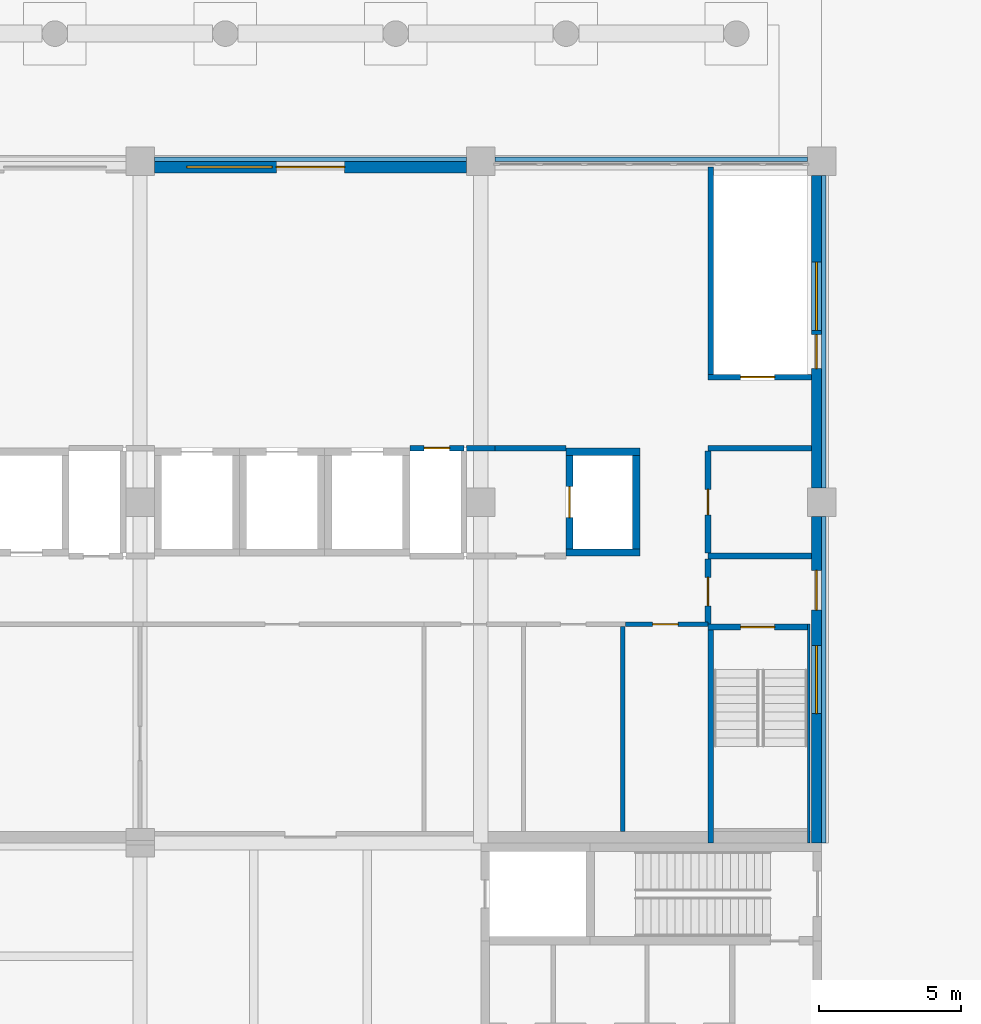
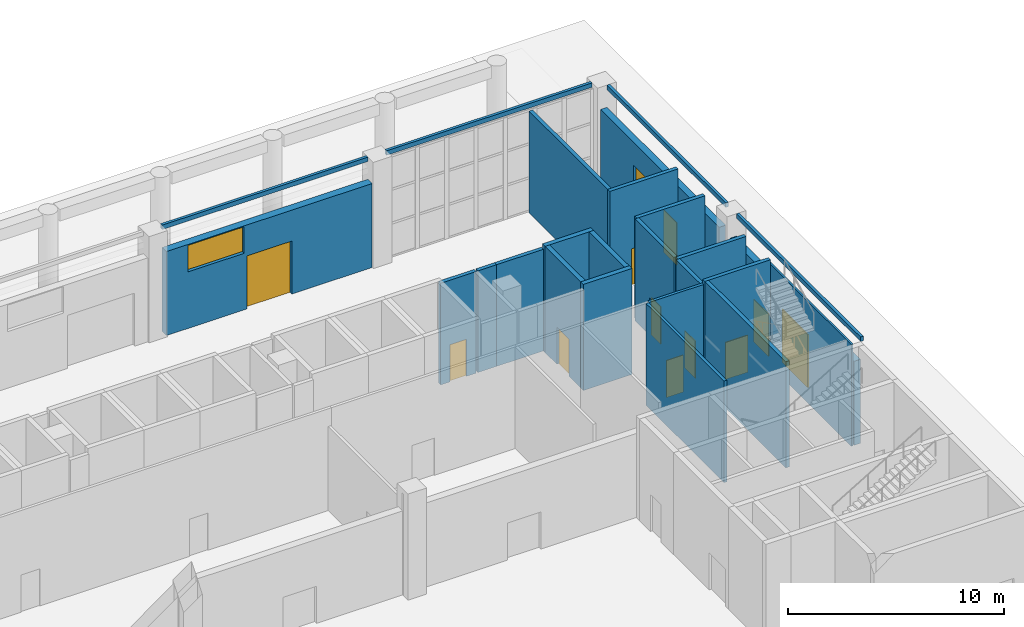
# One storey, part 49 of 59: 25 walls, 10 doors, 3 windows, 13 openings.
"""IFC4 building model written with IfcOpenShell, lengths in metres."""

from ifc_helpers import new_model, si_unit, direction, frame, frame_2d, origin, place, context, subcontext, project, spatial, rectangle, extrude, material, layer, layer_set, type_object, element, fill, save


model = new_model("IFC4")

# Units and contexts
model_context = context("Model", 3, precision=1e-05, world=origin(), true_north=direction((0.0, 1.0)))
body_context = subcontext(model_context, "Body", "Model", "MODEL_VIEW")
ifc_project = project(units=[si_unit("LENGTHUNIT", "METRE"), si_unit("AREAUNIT", "SQUARE_METRE"), si_unit("VOLUMEUNIT", "CUBIC_METRE"), si_unit("PLANEANGLEUNIT", "RADIAN"), si_unit("MASSUNIT", "GRAM", prefix="KILO")], contexts=[model_context])

# Site, building, storey
site_placement = place(None, origin())
site = spatial("IfcSite", under=ifc_project, at=site_placement, CompositionType="ELEMENT")
building_placement = place(site_placement, origin())
building = spatial("IfcBuilding", under=site, at=building_placement, Name="Lilac Gate Convention Centre", CompositionType="ELEMENT")
storey_placement = place(building_placement, origin())
storey = spatial("IfcBuildingStorey", under=building, at=storey_placement, Name="L00", CompositionType="ELEMENT", Elevation=0.0)

# Wall
ifc_material_1 = material(Name="Concrete C60", Category="concrete")
ifc_layer_1 = layer(ifc_material_1, 0.10009765625)
ifc_layer_set_1 = layer_set([ifc_layer_1], Name="Concrete C60")
wall_type_1 = type_object("IfcWallType", Name="Core wall 100 C60", PredefinedType="SHEAR", material=ifc_layer_set_1)
wall_1_placement = place(storey_placement, frame((89.550048828125, 229.699951171875, 0.0), z_axis=(0.0, 0.0, 1.0), x_axis=(0.0, -1.0, 0.0)))
element("IfcWall", 1, at=wall_1_placement, inside=storey, type_object=wall_type_1, Name="CRW8 core wall TS-EX L00 1", PredefinedType="SHEAR", context=body_context, shape_type="SweptSolid", body=[
    extrude(rectangle(XDim=7.699951171875, YDim=0.10009765625, at=frame_2d((3.85009765625, 0.0))), origin(), (0.0, 0.0, 1.0), 5.75),
])

# Wall, opening, door
ifc_layer_2 = layer(ifc_material_1, 0.199951171875)
ifc_layer_set_2 = layer_set([ifc_layer_2], Name="Concrete C60")
wall_type_2 = type_object("IfcWallType", Name="Core wall 200 C60", PredefinedType="SHEAR", material=ifc_layer_set_2)
wall_2_placement = place(storey_placement, frame((86.0, 238.39990234375, 0.0), z_axis=(0.0, 0.0, 1.0), x_axis=(1.0, 0.0, 0.0)))
wall_2 = element("IfcWall", 2, at=wall_2_placement, inside=storey, type_object=wall_type_2, Name="CRW2 core wall TB-N L00 1", PredefinedType="SHEAR", context=body_context, shape_type="SweptSolid", body=[
    extrude(rectangle(XDim=3.64990234375, YDim=0.199951171875, at=frame_2d((1.824951171875, 0.0))), origin(), (0.0, 0.0, 1.0), 5.75),
])
opening_1_placement = place(wall_2_placement, frame((1.14990234375, 0.0, 0.0)))
opening_1 = element("IfcOpeningElement", 3, at=opening_1_placement, cuts=wall_2, Name="Opening T00-027", PredefinedType="OPENING", context=body_context, shape_type="SweptSolid", body=[
    extrude(rectangle(XDim=1.199951171875, YDim=2.10009765625, at=frame_2d((0.60009765625, 1.050048828125))), frame((0.0, 0.10986328125, 0.0), z_axis=(0.0, -1.0, 0.0), x_axis=(1.0, 0.0, 0.0)), (0.0, 0.0, 1.0), 0.219970703125),
])
ifc_material_2 = material(Name="Steel Q235B", Category="steel")
door_type_1 = type_object("IfcDoorType", Name="Stair door 1200", OperationType="SINGLE_SWING_LEFT", PredefinedType="DOOR", material=ifc_material_2)
door_1_placement = place(opening_1_placement, origin())
door_1 = element("IfcDoor", 4, at=door_1_placement, inside=storey, type_object=door_type_1, Name="Stair door BN L00", OperationType="SINGLE_SWING_LEFT", OverallHeight=2.10009765625, OverallWidth=1.199951171875, PredefinedType="DOOR", context=body_context, shape_type="SweptSolid", body=[
    extrude(rectangle(XDim=1.199951171875, YDim=2.10009765625, at=frame_2d((0.60009765625, 1.050048828125))), frame((0.0, 0.02490234375, 0.0), z_axis=(0.0, -1.0, 0.0), x_axis=(1.0, 0.0, 0.0)), (0.0, 0.0, 1.0), 0.050048828125),
])
fill(opening_1, door_1)

# Wall
wall_3_placement = place(storey_placement, frame((86.10009765625, 238.5, 0.0), z_axis=(0.0, 0.0, 1.0), x_axis=(0.0, 1.0, 0.0)))
element("IfcWall", 5, at=wall_3_placement, inside=storey, type_object=wall_type_2, Name="CRW2 core wall TB-N L00 2", PredefinedType="SHEAR", context=body_context, shape_type="SweptSolid", body=[
    extrude(rectangle(XDim=7.2998046875, YDim=0.199951171875, at=frame_2d((3.64990234375, 0.0))), origin(), (0.0, 0.0, 1.0), 5.75),
])

# Wall, opening, door
wall_4_placement = place(storey_placement, frame((89.5, 229.60009765625, 0.0), z_axis=(0.0, 0.0, 1.0), x_axis=(-1.0, 0.0, 0.0)))
wall_4 = element("IfcWall", 6, at=wall_4_placement, inside=storey, type_object=wall_type_2, Name="CRW2 core wall TS-E L00 1", PredefinedType="SHEAR", context=body_context, shape_type="SweptSolid", body=[
    extrude(rectangle(XDim=3.5, YDim=0.199951171875, at=frame_2d((1.75, 0.0))), origin(), (0.0, 0.0, 1.0), 6.0),
])
opening_2_placement = place(wall_4_placement, frame((1.14990234375, 0.0, 0.0)))
opening_2 = element("IfcOpeningElement", 7, at=opening_2_placement, cuts=wall_4, Name="Opening T00-026", PredefinedType="OPENING", context=body_context, shape_type="SweptSolid", body=[
    extrude(rectangle(XDim=1.199951171875, YDim=2.10009765625, at=frame_2d((0.60009765625, 1.050048828125))), frame((0.0, 0.10986328125, 0.0), z_axis=(0.0, -1.0, 0.0), x_axis=(1.0, 0.0, 0.0)), (0.0, 0.0, 1.0), 0.219970703125),
])
door_2_placement = place(opening_2_placement, origin())
door_2 = element("IfcDoor", 8, at=door_2_placement, inside=storey, type_object=door_type_1, Name="Stair door SE L00", OperationType="SINGLE_SWING_RIGHT", OverallHeight=2.10009765625, OverallWidth=1.199951171875, PredefinedType="DOOR", context=body_context, shape_type="SweptSolid", body=[
    extrude(rectangle(XDim=1.199951171875, YDim=2.10009765625, at=frame_2d((0.60009765625, 1.050048828125))), frame((0.0, 0.02490234375, 0.0), z_axis=(0.0, -1.0, 0.0), x_axis=(1.0, 0.0, 0.0)), (0.0, 0.0, 1.0), 0.050048828125),
])
fill(opening_2, door_2)

# Walls
wall_5_placement = place(storey_placement, frame((86.10009765625, 222.0, 0.0), z_axis=(0.0, 0.0, 1.0), x_axis=(0.0, 1.0, 0.0)))
element("IfcWall", 9, at=wall_5_placement, inside=storey, type_object=wall_type_2, Name="CRW2 core wall TS-E L00 2", PredefinedType="SHEAR", context=body_context, shape_type="SweptSolid", body=[
    extrude(rectangle(XDim=7.5, YDim=0.199951171875, at=frame_2d((3.75, 0.0))), origin(), (0.0, 0.0, 1.0), 6.0),
])
ifc_layer_3 = layer(ifc_material_1, 0.25)
ifc_layer_set_3 = layer_set([ifc_layer_3], Name="Concrete C60")
wall_type_3 = type_object("IfcWallType", Name="Core wall 250 C60", PredefinedType="SHEAR", material=ifc_layer_set_3)
for number, where, z_axis, x_axis, name in (
    (10, (81.0, 232.22509765625, 0.0), (0.0, 0.0, 1.0), (1.0, 0.0, 0.0), "CRW3 core wall TC L00 33"),
    (11, (81.0, 235.77490234375, 0.0), (0.0, 0.0, 1.0), (1.0, 0.0, 0.0), "CRW3 core wall TC L00 34"),
):
    element("IfcWall", number, at=place(storey_placement, frame(where, z_axis=z_axis, x_axis=x_axis)), inside=storey, type_object=wall_type_3, Name=name, PredefinedType="SHEAR", context=body_context, shape_type="SweptSolid", body=[
        extrude(rectangle(XDim=2.60009765625, YDim=0.25, at=frame_2d((1.300048828125, 0.0))), origin(), (0.0, 0.0, 1.0), 6.0),
    ])

# Wall, opening, door
wall_6_placement = place(storey_placement, frame((81.125, 232.35009765625, 0.0), z_axis=(0.0, 0.0, 1.0), x_axis=(0.0, 1.0, 0.0)))
wall_6 = element("IfcWall", 12, at=wall_6_placement, inside=storey, type_object=wall_type_3, Name="CRW3 core wall TC L00 35", PredefinedType="SHEAR", context=body_context, shape_type="SweptSolid", body=[
    extrude(rectangle(XDim=3.2998046875, YDim=0.25, at=frame_2d((1.64990234375, 0.0))), origin(), (0.0, 0.0, 1.0), 6.0),
])
opening_3_placement = place(wall_6_placement, frame((1.10009765625, 0.0, 0.0)))
opening_3 = element("IfcOpeningElement", 13, at=opening_3_placement, cuts=wall_6, Name="Opening T00-024", PredefinedType="OPENING", context=body_context, shape_type="SweptSolid", body=[
    extrude(rectangle(XDim=1.10009765625, YDim=2.10009765625, at=frame_2d((0.550048828125, 1.050048828125))), frame((0.0, 0.135009765625, 0.0), z_axis=(0.0, -1.0, 0.0), x_axis=(1.0, 0.0, 0.0)), (0.0, 0.0, 1.0), 0.27001953125),
])
ifc_material_3 = material(Name="Stainless steel 304", Category="steel")
door_type_2 = type_object("IfcDoorType", Name="Lift landing door 1100", OperationType="SLIDING_TO_LEFT", PredefinedType="DOOR", material=ifc_material_3)
door_3_placement = place(opening_3_placement, origin())
door_3 = element("IfcDoor", 14, at=door_3_placement, inside=storey, type_object=door_type_2, Name="Lift landing door TF1 L00", OperationType="SLIDING_TO_LEFT", OverallHeight=2.10009765625, OverallWidth=1.10009765625, PredefinedType="DOOR", context=body_context, shape_type="SweptSolid", body=[
    extrude(rectangle(XDim=1.10009765625, YDim=2.10009765625, at=frame_2d((0.550048828125, 1.050048828125))), frame((0.0, 0.02490234375, 0.0), z_axis=(0.0, -1.0, 0.0), x_axis=(1.0, 0.0, 0.0)), (0.0, 0.0, 1.0), 0.050048828125),
])
fill(opening_3, door_3)

# Wall
wall_7_placement = place(storey_placement, frame((83.47509765625, 232.35009765625, 0.0), z_axis=(0.0, 0.0, 1.0), x_axis=(0.0, 1.0, 0.0)))
element("IfcWall", 15, at=wall_7_placement, inside=storey, type_object=wall_type_3, Name="CRW3 core wall TC L00 36", PredefinedType="SHEAR", context=body_context, shape_type="SweptSolid", body=[
    extrude(rectangle(XDim=3.2998046875, YDim=0.25, at=frame_2d((1.64990234375, 0.0))), origin(), (0.0, 0.0, 1.0), 6.0),
])

# Wall, opening, door
ifc_material_4 = material(Name="Gypsum board on steel stud", Category="steel")
ifc_layer_4 = layer(ifc_material_4, 0.14990234375)
ifc_layer_set_4 = layer_set([ifc_layer_4], Name="Gypsum board on steel stud")
wall_type_4 = type_object("IfcWallType", Name="Corridor wall 150", PredefinedType="PARTITIONING", material=ifc_layer_set_4)
wall_8_placement = place(storey_placement, frame((86.0, 229.699951171875, 0.0), z_axis=(0.0, 0.0, 1.0), x_axis=(-1.0, 0.0, 0.0)))
wall_8 = element("IfcWall", 16, at=wall_8_placement, inside=storey, type_object=wall_type_4, Name="Corridor wall 150 front WC-A", PredefinedType="PARTITIONING", context=body_context, shape_type="SweptSolid", body=[
    extrude(rectangle(XDim=2.89990234375, YDim=0.14990234375, at=frame_2d((1.449951171875, 0.0))), origin(), (0.0, 0.0, 1.0), 5.75),
])
opening_4_placement = place(wall_8_placement, frame((1.050048828125, 0.0, 0.0)))
opening_4 = element("IfcOpeningElement", 17, at=opening_4_placement, cuts=wall_8, Name="Opening T00-014", PredefinedType="OPENING", context=body_context, shape_type="SweptSolid", body=[
    extrude(rectangle(XDim=0.89990234375, YDim=2.10009765625, at=frame_2d((0.449951171875, 1.050048828125))), frame((0.0, 0.0849609375, 0.0), z_axis=(0.0, -1.0, 0.0), x_axis=(1.0, 0.0, 0.0)), (0.0, 0.0, 1.0), 0.169921875),
])
ifc_material_5 = material(Name="Timber", Category="wood")
door_type_3 = type_object("IfcDoorType", Name="WC door 900", OperationType="SINGLE_SWING_LEFT", PredefinedType="DOOR", material=ifc_material_5)
door_4_placement = place(opening_4_placement, origin())
door_4 = element("IfcDoor", 18, at=door_4_placement, inside=storey, type_object=door_type_3, Name="Accessible WC door", OperationType="SINGLE_SWING_RIGHT", OverallHeight=2.10009765625, OverallWidth=0.89990234375, PredefinedType="DOOR", context=body_context, shape_type="SweptSolid", body=[
    extrude(rectangle(XDim=0.89990234375, YDim=2.10009765625, at=frame_2d((0.449951171875, 1.050048828125))), frame((0.0, 0.02490234375, 0.0), z_axis=(0.0, -1.0, 0.0), x_axis=(1.0, 0.0, 0.0)), (0.0, 0.0, 1.0), 0.050048828125),
])
fill(opening_4, door_4)

# Wall, openings, window, door
ifc_material_6 = material(Name="Aluminium framed glazing", Category="aluminium")
ifc_layer_5 = layer(ifc_material_6, 0.39990234375)
ifc_layer_set_5 = layer_set([ifc_layer_5], Name="Aluminium framed glazing")
wall_type_5 = type_object("IfcWallType", Name="Glazed screen frame 400", PredefinedType="STANDARD", material=ifc_layer_set_5)
wall_9_placement = place(storey_placement, frame((77.5, 245.800048828125, 0.0), z_axis=(0.0, 0.0, 1.0), x_axis=(-1.0, 0.0, 0.0)))
wall_9 = element("IfcWall", 19, at=wall_9_placement, inside=storey, type_object=wall_type_5, Name="External wall N L00 2", PredefinedType="STANDARD", context=body_context, shape_type="SweptSolid", body=[
    extrude(rectangle(XDim=11.0, YDim=0.39990234375, at=frame_2d((5.5, 0.0))), origin(), (0.0, 0.0, 1.0), 4.75),
])
opening_5_placement = place(wall_9_placement, frame((4.300048828125, 0.0, 0.0)))
opening_5 = element("IfcOpeningElement", 20, at=opening_5_placement, cuts=wall_9, Name="Opening ED-003", PredefinedType="OPENING", context=body_context, shape_type="SweptSolid", body=[
    extrude(rectangle(XDim=2.39990234375, YDim=3.0, at=frame_2d((1.199951171875, 1.5))), frame((0.0, 0.2099609375, 0.0), z_axis=(0.0, -1.0, 0.0), x_axis=(1.0, 0.0, 0.0)), (0.0, 0.0, 1.0), 0.419921875),
])
opening_6_placement = place(wall_9_placement, frame((6.85009765625, 0.0, 3.199951171875)))
opening_6 = element("IfcOpeningElement", 21, at=opening_6_placement, cuts=wall_9, Name="Opening W8", PredefinedType="OPENING", context=body_context, shape_type="SweptSolid", body=[
    extrude(rectangle(XDim=3.0, YDim=1.5, at=frame_2d((1.5, 0.75))), frame((0.0, 0.2099609375, 0.0), z_axis=(0.0, -1.0, 0.0), x_axis=(1.0, 0.0, 0.0)), (0.0, 0.0, 1.0), 0.419921875),
])
ifc_material_7 = material(Name="Aluminium framed double glazing", Category="aluminium")
window_type_1 = type_object("IfcWindowType", Name="Entrance fanlight 3000 x 1500", PartitioningType="TRIPLE_PANEL_VERTICAL", PredefinedType="WINDOW", material=ifc_material_7)
window_1_placement = place(opening_6_placement, origin())
window_1 = element("IfcWindow", 22, at=window_1_placement, inside=storey, type_object=window_type_1, Name="Fanlight entrance L00", OverallHeight=1.5, OverallWidth=3.0, PartitioningType="SINGLE_PANEL", PredefinedType="WINDOW", context=body_context, shape_type="SweptSolid", body=[
    extrude(rectangle(XDim=3.0, YDim=1.5, at=frame_2d((1.5, 0.75))), frame((0.0, 0.030029296875, 0.0), z_axis=(0.0, -1.0, 0.0), x_axis=(1.0, 0.0, 0.0)), (0.0, 0.0, 1.0), 0.06005859375),
])
fill(opening_6, window_1)
ifc_material_8 = material(Name="Aluminium framed glazed door", Category="aluminium")
door_type_4 = type_object("IfcDoorType", Name="Main entrance double door 2400 x 3000", OperationType="DOUBLE_DOOR_SINGLE_SWING", PredefinedType="DOOR", material=ifc_material_8)
door_5_placement = place(opening_5_placement, frame((2.39990234375, 0.0, 0.0), z_axis=(0.0, 0.0, 1.0), x_axis=(-1.0, 0.0, 0.0)))
door_5 = element("IfcDoor", 23, at=door_5_placement, inside=storey, type_object=door_type_4, Name="Main entrance E1", OperationType="DOUBLE_DOOR_SINGLE_SWING", OverallHeight=3.0, OverallWidth=2.39990234375, PredefinedType="DOOR", context=body_context, shape_type="SweptSolid", body=[
    extrude(rectangle(XDim=2.39990234375, YDim=3.0, at=frame_2d((1.199951171875, 1.5))), frame((0.0, 0.02490234375, 0.0), z_axis=(0.0, -1.0, 0.0), x_axis=(1.0, 0.0, 0.0)), (0.0, 0.0, 1.0), 0.050048828125),
])
fill(opening_5, door_5)

# Walls
ifc_layer_6 = layer(ifc_material_4, 0.199951171875)
ifc_layer_set_6 = layer_set([ifc_layer_6], Name="Gypsum board on steel stud")
wall_type_6 = type_object("IfcWallType", Name="Lobby wall 200", PredefinedType="PARTITIONING", material=ifc_layer_set_6)
wall_10_placement = place(storey_placement, frame((86.0, 232.10009765625, 0.0), z_axis=(0.0, 0.0, 1.0), x_axis=(1.0, 0.0, 0.0)))
element("IfcWall", 24, at=wall_10_placement, inside=storey, type_object=wall_type_6, Name="Lobby wall 200 STL-N", PredefinedType="PARTITIONING", context=body_context, shape_type="SweptSolid", body=[
    extrude(rectangle(XDim=3.64990234375, YDim=0.199951171875, at=frame_2d((1.824951171875, 0.0))), origin(), (0.0, 0.0, 1.0), 5.75),
])
wall_11_placement = place(storey_placement, frame((78.5, 235.89990234375, 0.0), z_axis=(0.0, 0.0, 1.0), x_axis=(1.0, 0.0, 0.0)))
element("IfcWall", 25, at=wall_11_placement, inside=storey, type_object=wall_type_6, Name="Lobby wall 200 FFL-N", PredefinedType="PARTITIONING", context=body_context, shape_type="SweptSolid", body=[
    extrude(rectangle(XDim=2.5, YDim=0.199951171875, at=frame_2d((1.25, 0.0))), origin(), (0.0, 0.0, 1.0), 5.75),
])

# Wall, opening, door
wall_12_placement = place(storey_placement, frame((86.0, 232.0, 0.0), z_axis=(0.0, 0.0, 1.0), x_axis=(0.0, -1.0, 0.0)))
wall_12 = element("IfcWall", 26, at=wall_12_placement, inside=storey, type_object=wall_type_6, Name="Lobby wall 200 STL-SE-W", PredefinedType="PARTITIONING", context=body_context, shape_type="SweptSolid", body=[
    extrude(rectangle(XDim=2.300048828125, YDim=0.199951171875, at=frame_2d((1.14990234375, 0.0))), origin(), (0.0, 0.0, 1.0), 5.75),
])
opening_7_placement = place(wall_12_placement, frame((0.64990234375, 0.0, 0.0)))
opening_7 = element("IfcOpeningElement", 27, at=opening_7_placement, cuts=wall_12, Name="Opening T00-007", PredefinedType="OPENING", context=body_context, shape_type="SweptSolid", body=[
    extrude(rectangle(XDim=1.0, YDim=2.10009765625, at=frame_2d((0.5, 1.050048828125))), frame((0.0, 0.10986328125, 0.0), z_axis=(0.0, -1.0, 0.0), x_axis=(1.0, 0.0, 0.0)), (0.0, 0.0, 1.0), 0.219970703125),
])
door_type_5 = type_object("IfcDoorType", Name="Lobby door 1000", OperationType="SINGLE_SWING_LEFT", PredefinedType="DOOR", material=ifc_material_2)
door_6_placement = place(opening_7_placement, origin())
door_6 = element("IfcDoor", 28, at=door_6_placement, inside=storey, type_object=door_type_5, Name="Stair lobby door SE", OperationType="SINGLE_SWING_LEFT", OverallHeight=2.10009765625, OverallWidth=1.0, PredefinedType="DOOR", context=body_context, shape_type="SweptSolid", body=[
    extrude(rectangle(XDim=1.0, YDim=2.10009765625, at=frame_2d((0.5, 1.050048828125))), frame((0.0, 0.02490234375, 0.0), z_axis=(0.0, -1.0, 0.0), x_axis=(1.0, 0.0, 0.0)), (0.0, 0.0, 1.0), 0.050048828125),
])
fill(opening_7, door_6)

# Wall, openings, door, window
ifc_material_9 = material(Name="Ochre mineral render")
ifc_layer_7 = layer(ifc_material_9, 0.02001953125)
ifc_material_10 = material(Name="Concrete C40 precast", Category="concrete")
ifc_layer_8 = layer(ifc_material_10, 0.06005859375)
ifc_material_11 = material(Name="Ventilated air cavity")
ifc_layer_9 = layer(ifc_material_11, 0.030029296875)
ifc_material_12 = material(Name="Mineral wool insulation")
ifc_layer_10 = layer(ifc_material_12, 0.169921875)
ifc_material_13 = material(Name="Steel stud Q345 and gypsum lining", Category="steel")
ifc_layer_11 = layer(ifc_material_13, 0.070068359375)
ifc_layer_set_7 = layer_set([ifc_layer_7, ifc_layer_8, ifc_layer_9, ifc_layer_10, ifc_layer_11], Name="Ochre mineral render, Concrete C40 precast, Ventilated air cavity, Mineral wool insulation, Steel stud Q345 and gypsum lining")
wall_type_7 = type_object("IfcWallType", Name="Podium precast wall 350", PredefinedType="STANDARD", material=ifc_layer_set_7)
wall_13_placement = place(storey_placement, frame((89.824951171875, 222.0, 0.0), z_axis=(0.0, 0.0, 1.0), x_axis=(0.0, 1.0, 0.0)))
wall_13 = element("IfcWall", 29, at=wall_13_placement, inside=storey, type_object=wall_type_7, Name="External wall E L00 1", PredefinedType="STANDARD", context=body_context, shape_type="SweptSolid", body=[
    extrude(rectangle(XDim=11.5, YDim=0.35009765625, at=frame_2d((5.75, 0.0))), origin(), (0.0, 0.0, 1.0), 4.75),
])
opening_8_placement = place(wall_13_placement, frame((8.199951171875, 0.0, 0.0)))
opening_8 = element("IfcOpeningElement", 30, at=opening_8_placement, cuts=wall_13, Name="Opening ED-001", PredefinedType="OPENING", context=body_context, shape_type="SweptSolid", body=[
    extrude(rectangle(XDim=1.39990234375, YDim=2.39990234375, at=frame_2d((0.699951171875, 1.199951171875))), frame((0.0, 0.18505859375, 0.0), z_axis=(0.0, -1.0, 0.0), x_axis=(1.0, 0.0, 0.0)), (0.0, 0.0, 1.0), 0.3701171875),
])
opening_9_placement = place(wall_13_placement, frame((4.550048828125, 0.0, 0.449951171875)))
opening_9 = element("IfcOpeningElement", 31, at=opening_9_placement, cuts=wall_13, Name="Opening W6", PredefinedType="OPENING", context=body_context, shape_type="SweptSolid", body=[
    extrude(rectangle(XDim=2.39990234375, YDim=3.0, at=frame_2d((1.199951171875, 1.5))), frame((0.0, 0.18505859375, 0.0), z_axis=(0.0, -1.0, 0.0), x_axis=(1.0, 0.0, 0.0)), (0.0, 0.0, 1.0), 0.3701171875),
])
door_type_6 = type_object("IfcDoorType", Name="Exit double door 1400 x 2400", OperationType="DOUBLE_DOOR_SINGLE_SWING", PredefinedType="DOOR", material=ifc_material_2)
door_7_placement = place(opening_8_placement, frame((1.39990234375, 0.0, 0.0), z_axis=(0.0, 0.0, 1.0), x_axis=(-1.0, 0.0, 0.0)))
door_7 = element("IfcDoor", 32, at=door_7_placement, inside=storey, type_object=door_type_6, Name="Pedestrian exit gate GT2", OperationType="DOUBLE_DOOR_SINGLE_SWING", OverallHeight=2.39990234375, OverallWidth=1.39990234375, PredefinedType="DOOR", context=body_context, shape_type="SweptSolid", body=[
    extrude(rectangle(XDim=1.39990234375, YDim=2.39990234375, at=frame_2d((0.699951171875, 1.199951171875))), frame((0.0, 0.02490234375, 0.0), z_axis=(0.0, -1.0, 0.0), x_axis=(1.0, 0.0, 0.0)), (0.0, 0.0, 1.0), 0.050048828125),
])
fill(opening_8, door_7)
window_type_2 = type_object("IfcWindowType", Name="Shopfront window 2400 x 3000", PartitioningType="TRIPLE_PANEL_VERTICAL", PredefinedType="WINDOW", material=ifc_material_7)
window_2_placement = place(opening_9_placement, origin())
window_2 = element("IfcWindow", 33, at=window_2_placement, inside=storey, type_object=window_type_2, Name="Window lobby E L00", OverallHeight=3.0, OverallWidth=2.39990234375, PartitioningType="SINGLE_PANEL", PredefinedType="WINDOW", context=body_context, shape_type="SweptSolid", body=[
    extrude(rectangle(XDim=2.39990234375, YDim=3.0, at=frame_2d((1.199951171875, 1.5))), frame((0.0, 0.030029296875, 0.0), z_axis=(0.0, -1.0, 0.0), x_axis=(1.0, 0.0, 0.0)), (0.0, 0.0, 1.0), 0.06005859375),
])
fill(opening_9, window_2)

wall_14_placement = place(storey_placement, frame((89.824951171875, 234.5, 0.0), z_axis=(0.0, 0.0, 1.0), x_axis=(0.0, 1.0, 0.0)))
wall_14 = element("IfcWall", 34, at=wall_14_placement, inside=storey, type_object=wall_type_7, Name="External wall E L00 2", PredefinedType="STANDARD", context=body_context, shape_type="SweptSolid", body=[
    extrude(rectangle(XDim=11.0, YDim=0.35009765625, at=frame_2d((5.5, 0.0))), origin(), (0.0, 0.0, 1.0), 4.75),
])
opening_10_placement = place(wall_14_placement, frame((4.199951171875, 0.0, 0.0)))
opening_10 = element("IfcOpeningElement", 35, at=opening_10_placement, cuts=wall_14, Name="Opening ED-002", PredefinedType="OPENING", context=body_context, shape_type="SweptSolid", body=[
    extrude(rectangle(XDim=1.199951171875, YDim=2.39990234375, at=frame_2d((0.60009765625, 1.199951171875))), frame((0.0, 0.18505859375, 0.0), z_axis=(0.0, -1.0, 0.0), x_axis=(1.0, 0.0, 0.0)), (0.0, 0.0, 1.0), 0.3701171875),
])
opening_11_placement = place(wall_14_placement, frame((5.550048828125, 0.0, 0.449951171875)))
opening_11 = element("IfcOpeningElement", 36, at=opening_11_placement, cuts=wall_14, Name="Opening W6", PredefinedType="OPENING", context=body_context, shape_type="SweptSolid", body=[
    extrude(rectangle(XDim=2.39990234375, YDim=3.0, at=frame_2d((1.199951171875, 1.5))), frame((0.0, 0.18505859375, 0.0), z_axis=(0.0, -1.0, 0.0), x_axis=(1.0, 0.0, 0.0)), (0.0, 0.0, 1.0), 0.3701171875),
])
door_type_7 = type_object("IfcDoorType", Name="Exit double door 1200 x 2400", OperationType="DOUBLE_DOOR_SINGLE_SWING", PredefinedType="DOOR", material=ifc_material_2)
door_8_placement = place(opening_10_placement, frame((1.199951171875, 0.0, 0.0), z_axis=(0.0, 0.0, 1.0), x_axis=(-1.0, 0.0, 0.0)))
door_8 = element("IfcDoor", 37, at=door_8_placement, inside=storey, type_object=door_type_7, Name="Pedestrian exit gate GT3", OperationType="DOUBLE_DOOR_SINGLE_SWING", OverallHeight=2.39990234375, OverallWidth=1.199951171875, PredefinedType="DOOR", context=body_context, shape_type="SweptSolid", body=[
    extrude(rectangle(XDim=1.199951171875, YDim=2.39990234375, at=frame_2d((0.60009765625, 1.199951171875))), frame((0.0, 0.02490234375, 0.0), z_axis=(0.0, -1.0, 0.0), x_axis=(1.0, 0.0, 0.0)), (0.0, 0.0, 1.0), 0.050048828125),
])
fill(opening_10, door_8)
window_3_placement = place(opening_11_placement, origin())
window_3 = element("IfcWindow", 38, at=window_3_placement, inside=storey, type_object=window_type_2, Name="Window lobby E L00", OverallHeight=3.0, OverallWidth=2.39990234375, PartitioningType="SINGLE_PANEL", PredefinedType="WINDOW", context=body_context, shape_type="SweptSolid", body=[
    extrude(rectangle(XDim=2.39990234375, YDim=3.0, at=frame_2d((1.199951171875, 1.5))), frame((0.0, 0.030029296875, 0.0), z_axis=(0.0, -1.0, 0.0), x_axis=(1.0, 0.0, 0.0)), (0.0, 0.0, 1.0), 0.06005859375),
])
fill(opening_11, window_3)

# Walls
ifc_layer_12 = layer(ifc_material_10, 0.1298828125)
ifc_layer_13 = layer(ifc_material_9, 0.02001953125)
ifc_layer_set_8 = layer_set([ifc_layer_12, ifc_layer_13], Name="Concrete C40 precast, Ochre mineral render")
wall_type_8 = type_object("IfcWallType", Name="Precast band ochre 150", PredefinedType="STANDARD", material=ifc_layer_set_8)
wall_15_placement = place(storey_placement, frame((90.074951171875, 222.0, 5.75), z_axis=(0.0, 0.0, 1.0), x_axis=(0.0, 1.0, 0.0)))
element("IfcWall", 39, at=wall_15_placement, inside=storey, type_object=wall_type_8, Name="Precast band E L00 1", PredefinedType="STANDARD", context=body_context, shape_type="SweptSolid", body=[
    extrude(rectangle(XDim=11.5, YDim=0.14990234375, at=frame_2d((5.75, 0.0))), origin(), (0.0, 0.0, 1.0), 0.25),
])
for number, where, z_axis, x_axis, name in (
    (40, (90.074951171875, 234.5, 5.75), (0.0, 0.0, 1.0), (0.0, 1.0, 0.0), "Precast band E L00 2"),
    (41, (89.5, 246.074951171875, 5.75), (0.0, 0.0, 1.0), (-1.0, 0.0, 0.0), "Precast band N L00 1"),
    (42, (77.5, 246.074951171875, 5.75), (0.0, 0.0, 1.0), (-1.0, 0.0, 0.0), "Precast band N L00 2"),
):
    element("IfcWall", number, at=place(storey_placement, frame(where, z_axis=z_axis, x_axis=x_axis)), inside=storey, type_object=wall_type_8, Name=name, PredefinedType="STANDARD", context=body_context, shape_type="SweptSolid", body=[
        extrude(rectangle(XDim=11.0, YDim=0.14990234375, at=frame_2d((5.5, 0.0))), origin(), (0.0, 0.0, 1.0), 0.25),
    ])

# Wall, opening, door
ifc_layer_14 = layer(ifc_material_4, 0.199951171875)
ifc_layer_set_9 = layer_set([ifc_layer_14], Name="Gypsum board on steel stud")
wall_type_9 = type_object("IfcWallType", Name="Riser and store wall 200", PredefinedType="PARTITIONING", material=ifc_layer_set_9)
wall_16_placement = place(storey_placement, frame((77.39990234375, 235.89990234375, 0.0), z_axis=(0.0, 0.0, 1.0), x_axis=(-1.0, 0.0, 0.0)))
wall_16 = element("IfcWall", 43, at=wall_16_placement, inside=storey, type_object=wall_type_9, Name="Riser and store wall 200 RS2-N", PredefinedType="PARTITIONING", context=body_context, shape_type="SweptSolid", body=[
    extrude(rectangle(XDim=1.89990234375, YDim=0.199951171875, at=frame_2d((0.949951171875, 0.0))), origin(), (0.0, 0.0, 1.0), 5.75),
])
opening_12_placement = place(wall_16_placement, frame((0.5, 0.0, 0.0)))
opening_12 = element("IfcOpeningElement", 44, at=opening_12_placement, cuts=wall_16, Name="Opening T00-003", PredefinedType="OPENING", context=body_context, shape_type="SweptSolid", body=[
    extrude(rectangle(XDim=0.89990234375, YDim=2.10009765625, at=frame_2d((0.449951171875, 1.050048828125))), frame((0.0, 0.10986328125, 0.0), z_axis=(0.0, -1.0, 0.0), x_axis=(1.0, 0.0, 0.0)), (0.0, 0.0, 1.0), 0.219970703125),
])
door_type_8 = type_object("IfcDoorType", Name="Riser and store door 900", OperationType="SINGLE_SWING_LEFT", PredefinedType="DOOR", material=ifc_material_2)
door_9_placement = place(opening_12_placement, origin())
door_9 = element("IfcDoor", 45, at=door_9_placement, inside=storey, type_object=door_type_8, Name="Riser room door", OperationType="SINGLE_SWING_LEFT", OverallHeight=2.10009765625, OverallWidth=0.89990234375, PredefinedType="DOOR", context=body_context, shape_type="SweptSolid", body=[
    extrude(rectangle(XDim=0.89990234375, YDim=2.10009765625, at=frame_2d((0.449951171875, 1.050048828125))), frame((0.0, 0.02490234375, 0.0), z_axis=(0.0, -1.0, 0.0), x_axis=(1.0, 0.0, 0.0)), (0.0, 0.0, 1.0), 0.050048828125),
])
fill(opening_12, door_9)

# Walls
wall_17_placement = place(storey_placement, frame((77.5, 235.89990234375, 0.0), z_axis=(0.0, 0.0, 1.0), x_axis=(1.0, 0.0, 0.0)))
element("IfcWall", 46, at=wall_17_placement, inside=storey, type_object=wall_type_9, Name="Riser and store wall 200 NICHE3-N", PredefinedType="PARTITIONING", context=body_context, shape_type="SweptSolid", body=[
    extrude(rectangle(XDim=1.0, YDim=0.199951171875, at=frame_2d((0.5, 0.0))), origin(), (0.0, 0.0, 1.0), 5.75),
])
wall_18_placement = place(storey_placement, frame((86.0, 235.89990234375, 0.0), z_axis=(0.0, 0.0, 1.0), x_axis=(1.0, 0.0, 0.0)))
element("IfcWall", 47, at=wall_18_placement, inside=storey, type_object=wall_type_9, Name="Riser and store wall 200 STE-N", PredefinedType="PARTITIONING", context=body_context, shape_type="SweptSolid", body=[
    extrude(rectangle(XDim=3.64990234375, YDim=0.199951171875, at=frame_2d((1.824951171875, 0.0))), origin(), (0.0, 0.0, 1.0), 5.75),
])

# Wall, opening, door
wall_19_placement = place(storey_placement, frame((86.0, 235.800048828125, 0.0), z_axis=(0.0, 0.0, 1.0), x_axis=(0.0, -1.0, 0.0)))
wall_19 = element("IfcWall", 48, at=wall_19_placement, inside=storey, type_object=wall_type_9, Name="Riser and store wall 200 STE-W", PredefinedType="PARTITIONING", context=body_context, shape_type="SweptSolid", body=[
    extrude(rectangle(XDim=3.60009765625, YDim=0.199951171875, at=frame_2d((1.800048828125, 0.0))), origin(), (0.0, 0.0, 1.0), 5.75),
])
opening_13_placement = place(wall_19_placement, frame((1.35009765625, 0.0, 0.0)))
opening_13 = element("IfcOpeningElement", 49, at=opening_13_placement, cuts=wall_19, Name="Opening T00-005", PredefinedType="OPENING", context=body_context, shape_type="SweptSolid", body=[
    extrude(rectangle(XDim=0.89990234375, YDim=2.10009765625, at=frame_2d((0.449951171875, 1.050048828125))), frame((0.0, 0.10986328125, 0.0), z_axis=(0.0, -1.0, 0.0), x_axis=(1.0, 0.0, 0.0)), (0.0, 0.0, 1.0), 0.219970703125),
])
door_10_placement = place(opening_13_placement, origin())
door_10 = element("IfcDoor", 50, at=door_10_placement, inside=storey, type_object=door_type_8, Name="Linen store door", OperationType="SINGLE_SWING_LEFT", OverallHeight=2.10009765625, OverallWidth=0.89990234375, PredefinedType="DOOR", context=body_context, shape_type="SweptSolid", body=[
    extrude(rectangle(XDim=0.89990234375, YDim=2.10009765625, at=frame_2d((0.449951171875, 1.050048828125))), frame((0.0, 0.02490234375, 0.0), z_axis=(0.0, -1.0, 0.0), x_axis=(1.0, 0.0, 0.0)), (0.0, 0.0, 1.0), 0.050048828125),
])
fill(opening_13, door_10)

# Wall
ifc_layer_15 = layer(ifc_material_4, 0.14990234375)
ifc_layer_set_10 = layer_set([ifc_layer_15], Name="Gypsum board on steel stud")
wall_type_10 = type_object("IfcWallType", Name="Room partition 150", PredefinedType="PARTITIONING", material=ifc_layer_set_10)
wall_20_placement = place(storey_placement, frame((83.0, 222.39990234375, 0.0), z_axis=(0.0, 0.0, 1.0), x_axis=(0.0, 1.0, 0.0)))
element("IfcWall", 51, at=wall_20_placement, inside=storey, type_object=wall_type_10, Name="Room partition 150 part WC-A", PredefinedType="PARTITIONING", context=body_context, shape_type="SweptSolid", body=[
    extrude(rectangle(XDim=7.22509765625, YDim=0.14990234375, at=frame_2d((3.612548828125, 0.0))), origin(), (0.0, 0.0, 1.0), 5.75),
])

save(model, "model.ifc")
